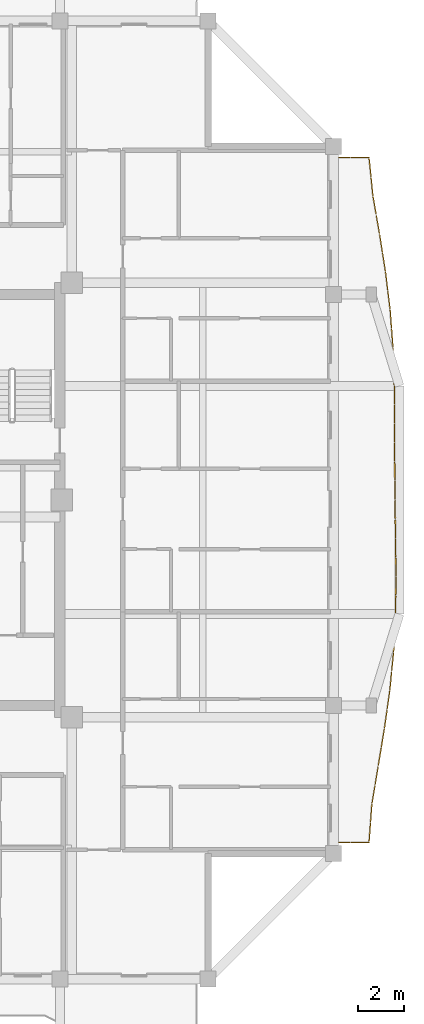
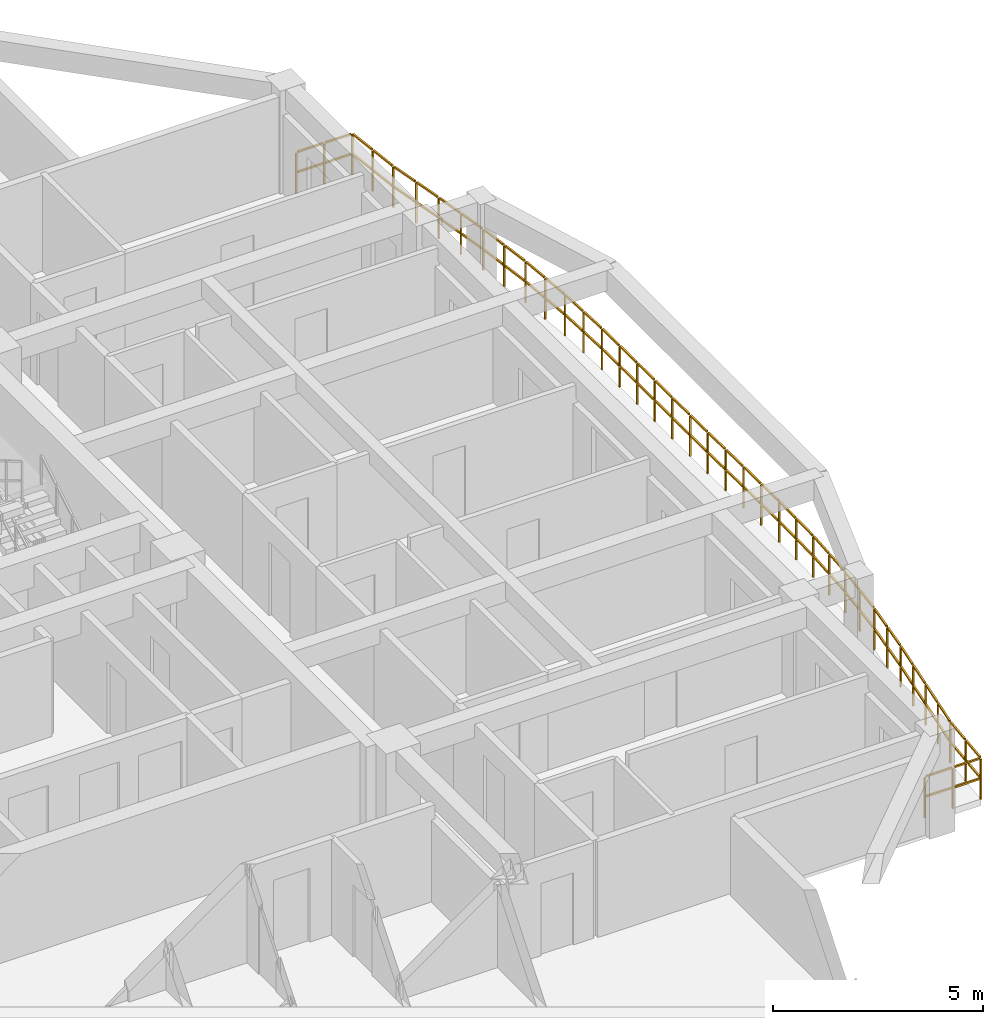
# One storey, part 13 of 14: 1 railing.
"""IFC4 building model written with IfcOpenShell, lengths in metres."""

import ifcopenshell
import ifcopenshell.guid

model = None  # the IFC model being written
_history = None  # IfcOwnerHistory: only IFC2X3 demands one
_inside = {}  # id of a spatial element -> (the spatial element, [elements in it])
_under = {}  # id of a project, library or spatial element -> (it, [spatial elements below it])
_declared = {}  # id of a project -> (the project, [libraries it declares])
_typed = {}  # id of a type object -> (the type object, [elements of that type])
_made_of = {}  # id of a material, layer set ... -> (it, [elements and type objects made of it])


def new_model(schema):
    """Start an empty IFC model of exactly this schema.

    Asked for "IFC4X3", IfcOpenShell would pick the latest addendum, in which some entities
    have other attributes; the version numbers below select the first issue.
    IFC2X3 requires an IfcOwnerHistory on every rooted entity: one is made here for all.
    """
    global model, _history
    if schema == "IFC4X3":
        model = ifcopenshell.file(schema_version=(4, 3, 0, 0))
    else:
        model = ifcopenshell.file(schema=schema)
    _inside.clear()
    _under.clear()
    _declared.clear()
    _typed.clear()
    _made_of.clear()
    _history = None
    if model.schema == "IFC2X3":
        org = make("IfcOrganization", Name="unknown")
        user = make(
            "IfcPersonAndOrganization",
            ThePerson=make("IfcPerson", FamilyName="unknown"),
            TheOrganization=org,
        )
        app = make(
            "IfcApplication",
            ApplicationDeveloper=org,
            Version="unknown",
            ApplicationFullName="unknown",
            ApplicationIdentifier="unknown",
        )
        _history = make(
            "IfcOwnerHistory",
            OwningUser=user,
            OwningApplication=app,
            ChangeAction="ADDED",
            CreationDate=0,
        )
    return model


def make(cls, **values):
    """One entity of the class cls with the attributes given. An attribute that is None is left unset."""
    return model.create_entity(
        cls, **{name: value for name, value in values.items() if value is not None}
    )


def rooted(cls, **values):
    """An entity with a GlobalId (a new one), such as an element, a storey or a relation."""
    return make(cls, GlobalId=ifcopenshell.guid.new(), OwnerHistory=_history, **values)


def si_unit(unit_type, name, prefix=None):
    """IfcSIUnit, for example si_unit("LENGTHUNIT", "METRE", prefix="MILLI")."""
    return make("IfcSIUnit", UnitType=unit_type, Prefix=prefix, Name=name)


def assignment(units):
    """IfcUnitAssignment: the units of a project."""
    return None if units is None else make("IfcUnitAssignment", Units=units)


def point(xyz):
    """IfcCartesianPoint."""
    return None if xyz is None else make("IfcCartesianPoint", Coordinates=xyz)


def direction(xyz):
    """IfcDirection."""
    return None if xyz is None else make("IfcDirection", DirectionRatios=xyz)


def frame(location, z_axis=None, x_axis=None):
    """IfcAxis2Placement3D, a coordinate frame: its origin and axes. An axis left out is left unset."""
    return make(
        "IfcAxis2Placement3D",
        Location=point(location),
        Axis=direction(z_axis),
        RefDirection=direction(x_axis),
    )


def frame_2d(location, x_axis=None):
    """IfcAxis2Placement2D, a coordinate frame in the plane: its origin and x axis."""
    return make(
        "IfcAxis2Placement2D", Location=point(location), RefDirection=direction(x_axis)
    )


def origin():
    """The frame at (0, 0, 0) with its axes left unset."""
    return frame((0.0, 0.0, 0.0))


def origin_2d():
    """The frame at (0, 0) in the plane with its x axis left unset."""
    return frame_2d((0.0, 0.0))


def place(relative_to, where):
    """IfcLocalPlacement: puts the frame where relative to a parent placement (None: the world)."""
    return make(
        "IfcLocalPlacement", PlacementRelTo=relative_to, RelativePlacement=where
    )


def context(
    kind, dimensions, precision=None, world=None, true_north=None, identifier=None
):
    """IfcGeometricRepresentationContext, for example the 3D "Model" context."""
    return make(
        "IfcGeometricRepresentationContext",
        ContextIdentifier=identifier,
        ContextType=kind,
        CoordinateSpaceDimension=dimensions,
        Precision=precision,
        WorldCoordinateSystem=world,
        TrueNorth=true_north,
    )


def subcontext(parent, identifier, kind, view, scale=None):
    """IfcGeometricRepresentationSubContext, for example "Body" below "Model"."""
    return make(
        "IfcGeometricRepresentationSubContext",
        ContextIdentifier=identifier,
        ContextType=kind,
        ParentContext=parent,
        TargetScale=scale,
        TargetView=view,
    )


def project(units=None, contexts=None):
    """IfcProject with its units and contexts."""
    return rooted(
        "IfcProject",
        Name="project",
        RepresentationContexts=contexts,
        UnitsInContext=assignment(units),
    )


def spatial(cls, under=None, at=None, **own):
    """A site, building, storey or space (cls), placed at a placement, below another one or the project."""
    s = rooted(cls, ObjectPlacement=at, **own)
    if under is not None:
        _under.setdefault(under.id(), (under, []))[1].append(s)
    return s


def profile(cls, at=None, kind="AREA", **sizes):
    """A parametric profile (cls). Its sizes go by their IFC names, for example OverallWidth=200.0."""
    return make(cls, ProfileType=kind, Position=at, **sizes)


def rectangle(**sizes):
    """IfcRectangleProfileDef."""
    return profile("IfcRectangleProfileDef", **sizes)


def extrude(swept, where, along, depth):
    """IfcExtrudedAreaSolid: the profile swept, set in the frame where, extruded along a direction by depth."""
    return make(
        "IfcExtrudedAreaSolid",
        SweptArea=swept,
        Position=where,
        ExtrudedDirection=direction(along),
        Depth=depth,
    )


def shape(context_of_items, identifier, shape_type, items):
    """IfcShapeRepresentation: the items that make up one representation, for example the "Body"."""
    return make(
        "IfcShapeRepresentation",
        ContextOfItems=context_of_items,
        RepresentationIdentifier=identifier,
        RepresentationType=shape_type,
        Items=items,
    )


def material(Name=None, Category=None):
    """IfcMaterial."""
    return make("IfcMaterial", Name=Name, Category=Category)


def made_of(thing, what):
    """Note that an element or type object is made of a material, layer set ...; save() writes the relation."""
    if what is not None:
        _made_of.setdefault(what.id(), (what, []))[1].append(thing)
    return thing


def type_object(cls, material=None, **own):
    """A type object (cls), such as IfcWallType, which elements share."""
    return made_of(rooted(cls, **own), material)


def element(
    cls,
    number,
    at=None,
    inside=None,
    cuts=None,
    type_object=None,
    material=None,
    context=None,
    identifier="Body",
    shape_type=None,
    held_by="IfcProductDefinitionShape",
    body=None,
    shapes=None,
    **own,
):
    """One element of the class cls, such as IfcWall. Its Tag is "e" and its number.

    at: its placement. inside: the storey or other place that contains it. cuts: it is an
    opening in that element (IfcRelVoidsElement). A single representation is given by context,
    identifier, shape_type and body (its items); several are given by shapes. held_by: the class
    of the entity that holds the representations. save() writes the other relations.
    """
    e = rooted(cls, Tag="e%d" % number, ObjectPlacement=at, **own)
    if body is not None:
        shapes = [shape(context, identifier, shape_type, body)]
    if shapes is not None:
        e.Representation = make(held_by, Representations=shapes)
    if inside is not None:
        _inside.setdefault(inside.id(), (inside, []))[1].append(e)
    if cuts is not None:
        rooted(
            "IfcRelVoidsElement", RelatingBuildingElement=cuts, RelatedOpeningElement=e
        )
    if type_object is not None:
        _typed.setdefault(type_object.id(), (type_object, []))[1].append(e)
    return made_of(e, material)


def aggregate(whole, parts):
    """IfcRelAggregates: a whole, such as a stair, and the parts it consists of."""
    return rooted("IfcRelAggregates", RelatingObject=whole, RelatedObjects=parts)


def save(model, path):
    """Write the relations noted so far, then the file.

    IfcRelAggregates (storeys below a building ...), IfcRelContainedInSpatialStructure (elements
    in a storey), IfcRelDefinesByType, IfcRelAssociatesMaterial and IfcRelDeclares: one each for
    every whole, place, type object, material and project.
    """
    for whole, parts in _under.values():
        aggregate(whole, parts)
    for where, things in _inside.values():
        rooted(
            "IfcRelContainedInSpatialStructure",
            RelatedElements=things,
            RelatingStructure=where,
        )
    for kind, things in _typed.values():
        rooted("IfcRelDefinesByType", RelatedObjects=things, RelatingType=kind)
    for what, things in _made_of.values():
        rooted("IfcRelAssociatesMaterial", RelatedObjects=things, RelatingMaterial=what)
    for by, libraries in _declared.values():
        rooted("IfcRelDeclares", RelatingContext=by, RelatedDefinitions=libraries)
    model.write(path)


model = new_model("IFC4")

# Units and contexts
model_context = context("Model", 3, precision=1e-05, world=origin(), true_north=direction((0.0, 1.0)))
body_context = subcontext(model_context, "Body", "Model", "MODEL_VIEW")
ifc_project = project(units=[si_unit("LENGTHUNIT", "METRE"), si_unit("AREAUNIT", "SQUARE_METRE"), si_unit("VOLUMEUNIT", "CUBIC_METRE"), si_unit("PLANEANGLEUNIT", "RADIAN"), si_unit("MASSUNIT", "GRAM", prefix="KILO")], contexts=[model_context])

# Site, building, storey
site_placement = place(None, origin())
site = spatial("IfcSite", under=ifc_project, at=site_placement, CompositionType="ELEMENT")
building_placement = place(site_placement, origin())
building = spatial("IfcBuilding", under=site, at=building_placement, Name="Saelheon Loggia Tower", CompositionType="ELEMENT")
storey_placement = place(building_placement, frame((0.0, 0.0, 213.300048828125)))
storey = spatial("IfcBuildingStorey", under=building, at=storey_placement, Name="L66", CompositionType="ELEMENT", Elevation=213.300048828125)

# Railing
ifc_material = material(Name="Architectural Precast Concrete and Laminated Glass Guard", Category="concrete")
railing_type = type_object("IfcRailingType", Name="Guard_Loggia_RL_LOG", PredefinedType="BALUSTRADE", material=ifc_material)
railing_placement = place(storey_placement, frame((56.5, 12.0, 0.0)))
element("IfcRailing", 1, at=railing_placement, inside=storey, type_object=railing_type, Name="L66 East Loggia Balustrade", PredefinedType="BALUSTRADE", context=body_context, shape_type="SweptSolid", body=[
    extrude(rectangle(XDim=0.048095703125, YDim=0.048095703125, at=origin_2d()), frame((0.033203125, 0.0, 1.19580078125), z_axis=(1.0, 0.0, 0.0), x_axis=(0.0, 1.0, 0.0)), (0.0, 0.0, 1.0), 0.70849609375),
    extrude(rectangle(XDim=0.048095703125, YDim=0.048095703125, at=origin_2d()), frame((0.033203125, 0.0, 0.60986328125), z_axis=(1.0, 0.0, 0.0), x_axis=(0.0, 1.0, 0.0)), (0.0, 0.0, 1.0), 0.70849609375),
    extrude(rectangle(XDim=0.048095703125, YDim=0.048095703125, at=origin_2d()), frame((0.808349609375, 0.0, 1.19580078125), z_axis=(1.0, 0.0, 0.0), x_axis=(0.0, 1.0, 0.0)), (0.0, 0.0, 1.0), 0.70849609375),
    extrude(rectangle(XDim=0.048095703125, YDim=0.048095703125, at=origin_2d()), frame((0.808349609375, 0.0, 0.60986328125), z_axis=(1.0, 0.0, 0.0), x_axis=(0.0, 1.0, 0.0)), (0.0, 0.0, 1.0), 0.70849609375),
    extrude(rectangle(XDim=0.048095703125, YDim=0.048095703125, at=origin_2d()), frame((1.552490234375, 0.033203125, 1.19580078125), z_axis=(0.073624164853, 0.997286058435, 0.0), x_axis=(-0.997286058435, 0.073624164853, 0.0)), (0.0, 0.0, 1.0), 0.769287109375),
    extrude(rectangle(XDim=0.048095703125, YDim=0.048095703125, at=origin_2d()), frame((1.552490234375, 0.033203125, 0.60986328125), z_axis=(0.073624164853, 0.997286058435, 0.0), x_axis=(-0.997286058435, 0.073624164853, 0.0)), (0.0, 0.0, 1.0), 0.769287109375),
    extrude(rectangle(XDim=0.048095703125, YDim=0.048095703125, at=origin_2d()), frame((1.614013671875, 0.866455078125, 1.19580078125), z_axis=(0.073624164853, 0.997286058435, 0.0), x_axis=(-0.997286058435, 0.073624164853, 0.0)), (0.0, 0.0, 1.0), 0.769287109375),
    extrude(rectangle(XDim=0.048095703125, YDim=0.048095703125, at=origin_2d()), frame((1.614013671875, 0.866455078125, 0.60986328125), z_axis=(0.073624164853, 0.997286058435, 0.0), x_axis=(-0.997286058435, 0.073624164853, 0.0)), (0.0, 0.0, 1.0), 0.769287109375),
    extrude(rectangle(XDim=0.048095703125, YDim=0.048095703125, at=origin_2d()), frame((1.678466796875, 1.699462890625, 1.19580078125), z_axis=(0.164164640298, 0.986432953057, 0.0), x_axis=(-0.986432953057, 0.164164640298, 0.0)), (0.0, 0.0, 1.0), 0.7783203125),
    extrude(rectangle(XDim=0.048095703125, YDim=0.048095703125, at=origin_2d()), frame((1.678466796875, 1.699462890625, 0.60986328125), z_axis=(0.164164640298, 0.986432953057, 0.0), x_axis=(-0.986432953057, 0.164164640298, 0.0)), (0.0, 0.0, 1.0), 0.7783203125),
    extrude(rectangle(XDim=0.048095703125, YDim=0.048095703125, at=origin_2d()), frame((1.817138671875, 2.53271484375, 1.19580078125), z_axis=(0.164164640298, 0.986432953057, 0.0), x_axis=(-0.986432953057, 0.164164640298, 0.0)), (0.0, 0.0, 1.0), 0.7783203125),
    extrude(rectangle(XDim=0.048095703125, YDim=0.048095703125, at=origin_2d()), frame((1.817138671875, 2.53271484375, 0.60986328125), z_axis=(0.164164640298, 0.986432953057, 0.0), x_axis=(-0.986432953057, 0.164164640298, 0.0)), (0.0, 0.0, 1.0), 0.7783203125),
    extrude(rectangle(XDim=0.048095703125, YDim=0.048095703125, at=origin_2d()), frame((1.955810546875, 3.365966796875, 1.19580078125), z_axis=(0.163297476344, 0.986576876994, 0.0), x_axis=(-0.986576876994, 0.163297476344, 0.0)), (0.0, 0.0, 1.0), 0.7783203125),
    extrude(rectangle(XDim=0.048095703125, YDim=0.048095703125, at=origin_2d()), frame((1.955810546875, 3.365966796875, 0.60986328125), z_axis=(0.163297476344, 0.986576876994, 0.0), x_axis=(-0.986576876994, 0.163297476344, 0.0)), (0.0, 0.0, 1.0), 0.7783203125),
    extrude(rectangle(XDim=0.048095703125, YDim=0.048095703125, at=origin_2d()), frame((2.09375, 4.199462890625, 1.19580078125), z_axis=(0.163297476344, 0.986576876994, 0.0), x_axis=(-0.986576876994, 0.163297476344, 0.0)), (0.0, 0.0, 1.0), 0.7783203125),
    extrude(rectangle(XDim=0.048095703125, YDim=0.048095703125, at=origin_2d()), frame((2.09375, 4.199462890625, 0.60986328125), z_axis=(0.163297476344, 0.986576876994, 0.0), x_axis=(-0.986576876994, 0.163297476344, 0.0)), (0.0, 0.0, 1.0), 0.7783203125),
    extrude(rectangle(XDim=0.048095703125, YDim=0.048095703125, at=origin_2d()), frame((2.23095703125, 5.032958984375, 1.19580078125), z_axis=(0.139532622052, 0.990217474792, 0.0), x_axis=(-0.990217474792, 0.139532622052, 0.0)), (0.0, 0.0, 1.0), 0.775146484375),
    extrude(rectangle(XDim=0.048095703125, YDim=0.048095703125, at=origin_2d()), frame((2.23095703125, 5.032958984375, 0.60986328125), z_axis=(0.139532622052, 0.990217474792, 0.0), x_axis=(-0.990217474792, 0.139532622052, 0.0)), (0.0, 0.0, 1.0), 0.775146484375),
    extrude(rectangle(XDim=0.048095703125, YDim=0.048095703125, at=origin_2d()), frame((2.348388671875, 5.8662109375, 1.19580078125), z_axis=(0.139532622052, 0.990217474792, 0.0), x_axis=(-0.990217474792, 0.139532622052, 0.0)), (0.0, 0.0, 1.0), 0.775146484375),
    extrude(rectangle(XDim=0.048095703125, YDim=0.048095703125, at=origin_2d()), frame((2.348388671875, 5.8662109375, 0.60986328125), z_axis=(0.139532622052, 0.990217474792, 0.0), x_axis=(-0.990217474792, 0.139532622052, 0.0)), (0.0, 0.0, 1.0), 0.775146484375),
    extrude(rectangle(XDim=0.048095703125, YDim=0.048095703125, at=origin_2d()), frame((2.46435546875, 6.69970703125, 1.19580078125), z_axis=(0.097684686156, 0.995217414483, 0.0), x_axis=(-0.995217414483, 0.097684686156, 0.0)), (0.0, 0.0, 1.0), 0.770751953125),
    extrude(rectangle(XDim=0.048095703125, YDim=0.048095703125, at=origin_2d()), frame((2.46435546875, 6.69970703125, 0.60986328125), z_axis=(0.097684686156, 0.995217414483, 0.0), x_axis=(-0.995217414483, 0.097684686156, 0.0)), (0.0, 0.0, 1.0), 0.770751953125),
    extrude(rectangle(XDim=0.048095703125, YDim=0.048095703125, at=origin_2d()), frame((2.546142578125, 7.532958984375, 1.19580078125), z_axis=(0.097684686156, 0.995217414483, 0.0), x_axis=(-0.995217414483, 0.097684686156, 0.0)), (0.0, 0.0, 1.0), 0.770751953125),
    extrude(rectangle(XDim=0.048095703125, YDim=0.048095703125, at=origin_2d()), frame((2.546142578125, 7.532958984375, 0.60986328125), z_axis=(0.097684686156, 0.995217414483, 0.0), x_axis=(-0.995217414483, 0.097684686156, 0.0)), (0.0, 0.0, 1.0), 0.770751953125),
    extrude(rectangle(XDim=0.048095703125, YDim=0.048095703125, at=origin_2d()), frame((2.62646484375, 8.366455078125, 1.19580078125), z_axis=(0.050178396497, 0.998740270804, 0.0), x_axis=(-0.998740270804, 0.050178396497, 0.0)), (0.0, 0.0, 1.0), 0.76806640625),
    extrude(rectangle(XDim=0.048095703125, YDim=0.048095703125, at=origin_2d()), frame((2.62646484375, 8.366455078125, 0.60986328125), z_axis=(0.050178396497, 0.998740270804, 0.0), x_axis=(-0.998740270804, 0.050178396497, 0.0)), (0.0, 0.0, 1.0), 0.76806640625),
    extrude(rectangle(XDim=0.048095703125, YDim=0.048095703125, at=origin_2d()), frame((2.668212890625, 9.19970703125, 1.19580078125), z_axis=(0.050178396497, 0.998740270804, 0.0), x_axis=(-0.998740270804, 0.050178396497, 0.0)), (0.0, 0.0, 1.0), 0.76806640625),
    extrude(rectangle(XDim=0.048095703125, YDim=0.048095703125, at=origin_2d()), frame((2.668212890625, 9.19970703125, 0.60986328125), z_axis=(0.050178396497, 0.998740270804, 0.0), x_axis=(-0.998740270804, 0.050178396497, 0.0)), (0.0, 0.0, 1.0), 0.76806640625),
    extrude(rectangle(XDim=0.048095703125, YDim=0.048095703125, at=origin_2d()), frame((2.708740234375, 10.033203125, 1.19580078125), z_axis=(0.010692226024, 0.999942836517, 0.0), x_axis=(-0.999942836517, 0.010692226024, 0.0)), (0.0, 0.0, 1.0), 0.766845703125),
    extrude(rectangle(XDim=0.048095703125, YDim=0.048095703125, at=origin_2d()), frame((2.708740234375, 10.033203125, 0.60986328125), z_axis=(0.010692226024, 0.999942836517, 0.0), x_axis=(-0.999942836517, 0.010692226024, 0.0)), (0.0, 0.0, 1.0), 0.766845703125),
    extrude(rectangle(XDim=0.048095703125, YDim=0.048095703125, at=origin_2d()), frame((2.7177734375, 10.86669921875, 1.19580078125), z_axis=(0.010692226024, 0.999942836517, 0.0), x_axis=(-0.999942836517, 0.010692226024, 0.0)), (0.0, 0.0, 1.0), 0.766845703125),
    extrude(rectangle(XDim=0.048095703125, YDim=0.048095703125, at=origin_2d()), frame((2.7177734375, 10.86669921875, 0.60986328125), z_axis=(0.010692226024, 0.999942836517, 0.0), x_axis=(-0.999942836517, 0.010692226024, 0.0)), (0.0, 0.0, 1.0), 0.766845703125),
    extrude(rectangle(XDim=0.048095703125, YDim=0.048095703125, at=origin_2d()), frame((2.725830078125, 11.699951171875, 1.19580078125), z_axis=(-0.011279680844, 0.999936382376, 0.0), x_axis=(-0.999936382376, -0.011279680844, 0.0)), (0.0, 0.0, 1.0), 0.766845703125),
    extrude(rectangle(XDim=0.048095703125, YDim=0.048095703125, at=origin_2d()), frame((2.725830078125, 11.699951171875, 0.60986328125), z_axis=(-0.011279680844, 0.999936382376, 0.0), x_axis=(-0.999936382376, -0.011279680844, 0.0)), (0.0, 0.0, 1.0), 0.766845703125),
    extrude(rectangle(XDim=0.048095703125, YDim=0.048095703125, at=origin_2d()), frame((2.716552734375, 12.533203125, 1.19580078125), z_axis=(-0.011279680844, 0.999936382376, 0.0), x_axis=(-0.999936382376, -0.011279680844, 0.0)), (0.0, 0.0, 1.0), 0.766845703125),
    extrude(rectangle(XDim=0.048095703125, YDim=0.048095703125, at=origin_2d()), frame((2.716552734375, 12.533203125, 0.60986328125), z_axis=(-0.011279680844, 0.999936382376, 0.0), x_axis=(-0.999936382376, -0.011279680844, 0.0)), (0.0, 0.0, 1.0), 0.766845703125),
    extrude(rectangle(XDim=0.048095703125, YDim=0.048095703125, at=origin_2d()), frame((2.70703125, 13.366455078125, 1.19580078125), z_axis=(-0.014353289095, 0.99989698624, 0.0), x_axis=(-0.99989698624, -0.014353289095, 0.0)), (0.0, 0.0, 1.0), 0.76708984375),
    extrude(rectangle(XDim=0.048095703125, YDim=0.048095703125, at=origin_2d()), frame((2.70703125, 13.366455078125, 0.60986328125), z_axis=(-0.014353289095, 0.99989698624, 0.0), x_axis=(-0.99989698624, -0.014353289095, 0.0)), (0.0, 0.0, 1.0), 0.76708984375),
    extrude(rectangle(XDim=0.048095703125, YDim=0.048095703125, at=origin_2d()), frame((2.695068359375, 14.199951171875, 1.19580078125), z_axis=(-0.014353289095, 0.99989698624, 0.0), x_axis=(-0.99989698624, -0.014353289095, 0.0)), (0.0, 0.0, 1.0), 0.76708984375),
    extrude(rectangle(XDim=0.048095703125, YDim=0.048095703125, at=origin_2d()), frame((2.695068359375, 14.199951171875, 0.60986328125), z_axis=(-0.014353289095, 0.99989698624, 0.0), x_axis=(-0.99989698624, -0.014353289095, 0.0)), (0.0, 0.0, 1.0), 0.76708984375),
    extrude(rectangle(XDim=0.048095703125, YDim=0.048095703125, at=origin_2d()), frame((2.683349609375, 15.033203125, 1.19580078125), z_axis=(-0.007030732919, 0.999975284092, 0.0), x_axis=(-0.999975284092, -0.007030732919, 0.0)), (0.0, 0.0, 1.0), 0.766845703125),
    extrude(rectangle(XDim=0.048095703125, YDim=0.048095703125, at=origin_2d()), frame((2.683349609375, 15.033203125, 0.60986328125), z_axis=(-0.007030732919, 0.999975284092, 0.0), x_axis=(-0.999975284092, -0.007030732919, 0.0)), (0.0, 0.0, 1.0), 0.766845703125),
    extrude(rectangle(XDim=0.048095703125, YDim=0.048095703125, at=origin_2d()), frame((2.677490234375, 15.86669921875, 1.19580078125), z_axis=(-0.007030732919, 0.999975284092, 0.0), x_axis=(-0.999975284092, -0.007030732919, 0.0)), (0.0, 0.0, 1.0), 0.766845703125),
    extrude(rectangle(XDim=0.048095703125, YDim=0.048095703125, at=origin_2d()), frame((2.677490234375, 15.86669921875, 0.60986328125), z_axis=(-0.007030732919, 0.999975284092, 0.0), x_axis=(-0.999975284092, -0.007030732919, 0.0)), (0.0, 0.0, 1.0), 0.766845703125),
    extrude(rectangle(XDim=0.048095703125, YDim=0.048095703125, at=origin_2d()), frame((2.671875, 16.699951171875, 1.19580078125), z_axis=(-0.00087899175, 0.999999613687, 0.0), x_axis=(-0.999999613687, -0.00087899175, 0.0)), (0.0, 0.0, 1.0), 0.766845703125),
    extrude(rectangle(XDim=0.048095703125, YDim=0.048095703125, at=origin_2d()), frame((2.671875, 16.699951171875, 0.60986328125), z_axis=(-0.00087899175, 0.999999613687, 0.0), x_axis=(-0.999999613687, -0.00087899175, 0.0)), (0.0, 0.0, 1.0), 0.766845703125),
    extrude(rectangle(XDim=0.048095703125, YDim=0.048095703125, at=origin_2d()), frame((2.671142578125, 17.533203125, 1.19580078125), z_axis=(-0.00087899175, 0.999999613687, 0.0), x_axis=(-0.999999613687, -0.00087899175, 0.0)), (0.0, 0.0, 1.0), 0.766845703125),
    extrude(rectangle(XDim=0.048095703125, YDim=0.048095703125, at=origin_2d()), frame((2.671142578125, 17.533203125, 0.60986328125), z_axis=(-0.00087899175, 0.999999613687, 0.0), x_axis=(-0.999999613687, -0.00087899175, 0.0)), (0.0, 0.0, 1.0), 0.766845703125),
    extrude(rectangle(XDim=0.048095703125, YDim=0.048095703125, at=origin_2d()), frame((2.670166015625, 18.366455078125, 1.19580078125), z_axis=(-0.008348910706, 0.999965147238, 0.0), x_axis=(-0.999965147238, -0.008348910706, 0.0)), (0.0, 0.0, 1.0), 0.766845703125),
    extrude(rectangle(XDim=0.048095703125, YDim=0.048095703125, at=origin_2d()), frame((2.670166015625, 18.366455078125, 0.60986328125), z_axis=(-0.008348910706, 0.999965147238, 0.0), x_axis=(-0.999965147238, -0.008348910706, 0.0)), (0.0, 0.0, 1.0), 0.766845703125),
    extrude(rectangle(XDim=0.048095703125, YDim=0.048095703125, at=origin_2d()), frame((2.6630859375, 19.199951171875, 1.19580078125), z_axis=(-0.008348910706, 0.999965147238, 0.0), x_axis=(-0.999965147238, -0.008348910706, 0.0)), (0.0, 0.0, 1.0), 0.766845703125),
    extrude(rectangle(XDim=0.048095703125, YDim=0.048095703125, at=origin_2d()), frame((2.6630859375, 19.199951171875, 0.60986328125), z_axis=(-0.008348910706, 0.999965147238, 0.0), x_axis=(-0.999965147238, -0.008348910706, 0.0)), (0.0, 0.0, 1.0), 0.766845703125),
    extrude(rectangle(XDim=0.048095703125, YDim=0.048095703125, at=origin_2d()), frame((2.6552734375, 20.033203125, 1.19580078125), z_axis=(-0.034109333385, 0.999418107388, 0.0), x_axis=(-0.999418107388, -0.034109333385, 0.0)), (0.0, 0.0, 1.0), 0.767333984375),
    extrude(rectangle(XDim=0.048095703125, YDim=0.048095703125, at=origin_2d()), frame((2.6552734375, 20.033203125, 0.60986328125), z_axis=(-0.034109333385, 0.999418107388, 0.0), x_axis=(-0.999418107388, -0.034109333385, 0.0)), (0.0, 0.0, 1.0), 0.767333984375),
    extrude(rectangle(XDim=0.048095703125, YDim=0.048095703125, at=origin_2d()), frame((2.626953125, 20.86669921875, 1.19580078125), z_axis=(-0.034109333385, 0.999418107388, 0.0), x_axis=(-0.999418107388, -0.034109333385, 0.0)), (0.0, 0.0, 1.0), 0.767333984375),
    extrude(rectangle(XDim=0.048095703125, YDim=0.048095703125, at=origin_2d()), frame((2.626953125, 20.86669921875, 0.60986328125), z_axis=(-0.034109333385, 0.999418107388, 0.0), x_axis=(-0.999418107388, -0.034109333385, 0.0)), (0.0, 0.0, 1.0), 0.767333984375),
    extrude(rectangle(XDim=0.048095703125, YDim=0.048095703125, at=origin_2d()), frame((2.59716796875, 21.699951171875, 1.19580078125), z_axis=(-0.075523507059, 0.997144021635, 0.0), x_axis=(-0.997144021635, -0.075523507059, 0.0)), (0.0, 0.0, 1.0), 0.769287109375),
    extrude(rectangle(XDim=0.048095703125, YDim=0.048095703125, at=origin_2d()), frame((2.59716796875, 21.699951171875, 0.60986328125), z_axis=(-0.075523507059, 0.997144021635, 0.0), x_axis=(-0.997144021635, -0.075523507059, 0.0)), (0.0, 0.0, 1.0), 0.769287109375),
    extrude(rectangle(XDim=0.048095703125, YDim=0.048095703125, at=origin_2d()), frame((2.533935546875, 22.533203125, 1.19580078125), z_axis=(-0.075523507059, 0.997144021635, 0.0), x_axis=(-0.997144021635, -0.075523507059, 0.0)), (0.0, 0.0, 1.0), 0.769287109375),
    extrude(rectangle(XDim=0.048095703125, YDim=0.048095703125, at=origin_2d()), frame((2.533935546875, 22.533203125, 0.60986328125), z_axis=(-0.075523507059, 0.997144021635, 0.0), x_axis=(-0.997144021635, -0.075523507059, 0.0)), (0.0, 0.0, 1.0), 0.769287109375),
    extrude(rectangle(XDim=0.048095703125, YDim=0.048095703125, at=origin_2d()), frame((2.469482421875, 23.3662109375, 1.19580078125), z_axis=(-0.12054414894, 0.992707967207, 0.0), x_axis=(-0.992707967207, -0.12054414894, 0.0)), (0.0, 0.0, 1.0), 0.77294921875),
    extrude(rectangle(XDim=0.048095703125, YDim=0.048095703125, at=origin_2d()), frame((2.469482421875, 23.3662109375, 0.60986328125), z_axis=(-0.12054414894, 0.992707967207, 0.0), x_axis=(-0.992707967207, -0.12054414894, 0.0)), (0.0, 0.0, 1.0), 0.77294921875),
    extrude(rectangle(XDim=0.048095703125, YDim=0.048095703125, at=origin_2d()), frame((2.3681640625, 24.19970703125, 1.19580078125), z_axis=(-0.12054414894, 0.992707967207, 0.0), x_axis=(-0.992707967207, -0.12054414894, 0.0)), (0.0, 0.0, 1.0), 0.77294921875),
    extrude(rectangle(XDim=0.048095703125, YDim=0.048095703125, at=origin_2d()), frame((2.3681640625, 24.19970703125, 0.60986328125), z_axis=(-0.12054414894, 0.992707967207, 0.0), x_axis=(-0.992707967207, -0.12054414894, 0.0)), (0.0, 0.0, 1.0), 0.77294921875),
    extrude(rectangle(XDim=0.048095703125, YDim=0.048095703125, at=origin_2d()), frame((2.265869140625, 25.03271484375, 1.19580078125), z_axis=(-0.155970003219, 0.987761792183, 0.0), x_axis=(-0.987761792183, -0.155970003219, 0.0)), (0.0, 0.0, 1.0), 0.77734375),
    extrude(rectangle(XDim=0.048095703125, YDim=0.048095703125, at=origin_2d()), frame((2.265869140625, 25.03271484375, 0.60986328125), z_axis=(-0.155970003219, 0.987761792183, 0.0), x_axis=(-0.987761792183, -0.155970003219, 0.0)), (0.0, 0.0, 1.0), 0.77734375),
    extrude(rectangle(XDim=0.048095703125, YDim=0.048095703125, at=origin_2d()), frame((2.13427734375, 25.8662109375, 1.19580078125), z_axis=(-0.155970003219, 0.987761792183, 0.0), x_axis=(-0.987761792183, -0.155970003219, 0.0)), (0.0, 0.0, 1.0), 0.77734375),
    extrude(rectangle(XDim=0.048095703125, YDim=0.048095703125, at=origin_2d()), frame((2.13427734375, 25.8662109375, 0.60986328125), z_axis=(-0.155970003219, 0.987761792183, 0.0), x_axis=(-0.987761792183, -0.155970003219, 0.0)), (0.0, 0.0, 1.0), 0.77734375),
    extrude(rectangle(XDim=0.048095703125, YDim=0.048095703125, at=origin_2d()), frame((2.002197265625, 26.699462890625, 1.19580078125), z_axis=(-0.171042688029, 0.985263618973, 0.0), x_axis=(-0.985263618973, -0.171042688029, 0.0)), (0.0, 0.0, 1.0), 0.779296875),
    extrude(rectangle(XDim=0.048095703125, YDim=0.048095703125, at=origin_2d()), frame((2.002197265625, 26.699462890625, 0.60986328125), z_axis=(-0.171042688029, 0.985263618973, 0.0), x_axis=(-0.985263618973, -0.171042688029, 0.0)), (0.0, 0.0, 1.0), 0.779296875),
    extrude(rectangle(XDim=0.048095703125, YDim=0.048095703125, at=origin_2d()), frame((1.857421875, 27.53271484375, 1.19580078125), z_axis=(-0.171042688029, 0.985263618973, 0.0), x_axis=(-0.985263618973, -0.171042688029, 0.0)), (0.0, 0.0, 1.0), 0.779296875),
    extrude(rectangle(XDim=0.048095703125, YDim=0.048095703125, at=origin_2d()), frame((1.857421875, 27.53271484375, 0.60986328125), z_axis=(-0.171042688029, 0.985263618973, 0.0), x_axis=(-0.985263618973, -0.171042688029, 0.0)), (0.0, 0.0, 1.0), 0.779296875),
    extrude(rectangle(XDim=0.048095703125, YDim=0.048095703125, at=origin_2d()), frame((1.715087890625, 28.3662109375, 1.19580078125), z_axis=(-0.100556993811, 0.994931299636, 0.0), x_axis=(-0.994931299636, -0.100556993811, 0.0)), (0.0, 0.0, 1.0), 0.771240234375),
    extrude(rectangle(XDim=0.048095703125, YDim=0.048095703125, at=origin_2d()), frame((1.715087890625, 28.3662109375, 0.60986328125), z_axis=(-0.100556993811, 0.994931299636, 0.0), x_axis=(-0.994931299636, -0.100556993811, 0.0)), (0.0, 0.0, 1.0), 0.771240234375),
    extrude(rectangle(XDim=0.048095703125, YDim=0.048095703125, at=origin_2d()), frame((1.630859375, 29.19970703125, 1.19580078125), z_axis=(-0.100556993811, 0.994931299636, 0.0), x_axis=(-0.994931299636, -0.100556993811, 0.0)), (0.0, 0.0, 1.0), 0.771240234375),
    extrude(rectangle(XDim=0.048095703125, YDim=0.048095703125, at=origin_2d()), frame((1.630859375, 29.19970703125, 0.60986328125), z_axis=(-0.100556993811, 0.994931299636, 0.0), x_axis=(-0.994931299636, -0.100556993811, 0.0)), (0.0, 0.0, 1.0), 0.771240234375),
    extrude(rectangle(XDim=0.048095703125, YDim=0.048095703125, at=origin_2d()), frame((1.516845703125, 30.0, 1.19580078125), z_axis=(-1.0, 0.0, 0.0), x_axis=(0.0, -1.0, 0.0)), (0.0, 0.0, 1.0), 0.70849609375),
    extrude(rectangle(XDim=0.048095703125, YDim=0.048095703125, at=origin_2d()), frame((1.516845703125, 30.0, 0.60986328125), z_axis=(-1.0, 0.0, 0.0), x_axis=(0.0, -1.0, 0.0)), (0.0, 0.0, 1.0), 0.70849609375),
    extrude(rectangle(XDim=0.048095703125, YDim=0.048095703125, at=origin_2d()), frame((0.74169921875, 30.0, 1.19580078125), z_axis=(-1.0, 0.0, 0.0), x_axis=(0.0, -1.0, 0.0)), (0.0, 0.0, 1.0), 0.70849609375),
    extrude(rectangle(XDim=0.048095703125, YDim=0.048095703125, at=origin_2d()), frame((0.74169921875, 30.0, 0.60986328125), z_axis=(-1.0, 0.0, 0.0), x_axis=(0.0, -1.0, 0.0)), (0.0, 0.0, 1.0), 0.70849609375),
    extrude(rectangle(XDim=0.0419921875, YDim=0.0419921875, at=origin_2d()), origin(), (0.0, 0.0, 1.0), 1.16796875),
    extrude(rectangle(XDim=0.0419921875, YDim=0.0419921875, at=origin_2d()), frame((0.77490234375, 0.0, 0.0)), (0.0, 0.0, 1.0), 1.16796875),
    extrude(rectangle(XDim=0.0419921875, YDim=0.0419921875, at=origin_2d()), frame((1.550048828125, 0.0, 0.0)), (0.0, 0.0, 1.0), 1.16796875),
    extrude(rectangle(XDim=0.0419921875, YDim=0.0419921875, at=origin_2d()), frame((1.611572265625, 0.83349609375, 0.0)), (0.0, 0.0, 1.0), 1.16796875),
    extrude(rectangle(XDim=0.0419921875, YDim=0.0419921875, at=origin_2d()), frame((1.673095703125, 1.666748046875, 0.0)), (0.0, 0.0, 1.0), 1.16796875),
    extrude(rectangle(XDim=0.0419921875, YDim=0.0419921875, at=origin_2d()), frame((1.811767578125, 2.5, 0.0)), (0.0, 0.0, 1.0), 1.16796875),
    extrude(rectangle(XDim=0.0419921875, YDim=0.0419921875, at=origin_2d()), frame((1.950439453125, 3.333251953125, 0.0)), (0.0, 0.0, 1.0), 1.16796875),
    extrude(rectangle(XDim=0.0419921875, YDim=0.0419921875, at=origin_2d()), frame((2.08837890625, 4.16650390625, 0.0)), (0.0, 0.0, 1.0), 1.16796875),
    extrude(rectangle(XDim=0.0419921875, YDim=0.0419921875, at=origin_2d()), frame((2.226318359375, 5.0, 0.0)), (0.0, 0.0, 1.0), 1.16796875),
    extrude(rectangle(XDim=0.0419921875, YDim=0.0419921875, at=origin_2d()), frame((2.34375, 5.83349609375, 0.0)), (0.0, 0.0, 1.0), 1.16796875),
    extrude(rectangle(XDim=0.0419921875, YDim=0.0419921875, at=origin_2d()), frame((2.461181640625, 6.666748046875, 0.0)), (0.0, 0.0, 1.0), 1.16796875),
    extrude(rectangle(XDim=0.0419921875, YDim=0.0419921875, at=origin_2d()), frame((2.54296875, 7.5, 0.0)), (0.0, 0.0, 1.0), 1.16796875),
    extrude(rectangle(XDim=0.0419921875, YDim=0.0419921875, at=origin_2d()), frame((2.624755859375, 8.333251953125, 0.0)), (0.0, 0.0, 1.0), 1.16796875),
    extrude(rectangle(XDim=0.0419921875, YDim=0.0419921875, at=origin_2d()), frame((2.66650390625, 9.16650390625, 0.0)), (0.0, 0.0, 1.0), 1.16796875),
    extrude(rectangle(XDim=0.0419921875, YDim=0.0419921875, at=origin_2d()), frame((2.70849609375, 10.0, 0.0)), (0.0, 0.0, 1.0), 1.16796875),
    extrude(rectangle(XDim=0.0419921875, YDim=0.0419921875, at=origin_2d()), frame((2.71728515625, 10.83349609375, 0.0)), (0.0, 0.0, 1.0), 1.16796875),
    extrude(rectangle(XDim=0.0419921875, YDim=0.0419921875, at=origin_2d()), frame((2.726318359375, 11.666748046875, 0.0)), (0.0, 0.0, 1.0), 1.16796875),
    extrude(rectangle(XDim=0.0419921875, YDim=0.0419921875, at=origin_2d()), frame((2.716796875, 12.5, 0.0)), (0.0, 0.0, 1.0), 1.16796875),
    extrude(rectangle(XDim=0.0419921875, YDim=0.0419921875, at=origin_2d()), frame((2.70751953125, 13.333251953125, 0.0)), (0.0, 0.0, 1.0), 1.16796875),
    extrude(rectangle(XDim=0.0419921875, YDim=0.0419921875, at=origin_2d()), frame((2.695556640625, 14.16650390625, 0.0)), (0.0, 0.0, 1.0), 1.16796875),
    extrude(rectangle(XDim=0.0419921875, YDim=0.0419921875, at=origin_2d()), frame((2.68359375, 15.0, 0.0)), (0.0, 0.0, 1.0), 1.16796875),
    extrude(rectangle(XDim=0.0419921875, YDim=0.0419921875, at=origin_2d()), frame((2.677734375, 15.83349609375, 0.0)), (0.0, 0.0, 1.0), 1.16796875),
    extrude(rectangle(XDim=0.0419921875, YDim=0.0419921875, at=origin_2d()), frame((2.671875, 16.666748046875, 0.0)), (0.0, 0.0, 1.0), 1.16796875),
    extrude(rectangle(XDim=0.0419921875, YDim=0.0419921875, at=origin_2d()), frame((2.671142578125, 17.5, 0.0)), (0.0, 0.0, 1.0), 1.16796875),
    extrude(rectangle(XDim=0.0419921875, YDim=0.0419921875, at=origin_2d()), frame((2.67041015625, 18.333251953125, 0.0)), (0.0, 0.0, 1.0), 1.16796875),
    extrude(rectangle(XDim=0.0419921875, YDim=0.0419921875, at=origin_2d()), frame((2.66357421875, 19.16650390625, 0.0)), (0.0, 0.0, 1.0), 1.16796875),
    extrude(rectangle(XDim=0.0419921875, YDim=0.0419921875, at=origin_2d()), frame((2.656494140625, 20.0, 0.0)), (0.0, 0.0, 1.0), 1.16796875),
    extrude(rectangle(XDim=0.0419921875, YDim=0.0419921875, at=origin_2d()), frame((2.6279296875, 20.83349609375, 0.0)), (0.0, 0.0, 1.0), 1.16796875),
    extrude(rectangle(XDim=0.0419921875, YDim=0.0419921875, at=origin_2d()), frame((2.599609375, 21.666748046875, 0.0)), (0.0, 0.0, 1.0), 1.16796875),
    extrude(rectangle(XDim=0.0419921875, YDim=0.0419921875, at=origin_2d()), frame((2.53662109375, 22.5, 0.0)), (0.0, 0.0, 1.0), 1.16796875),
    extrude(rectangle(XDim=0.0419921875, YDim=0.0419921875, at=origin_2d()), frame((2.473388671875, 23.333251953125, 0.0)), (0.0, 0.0, 1.0), 1.16796875),
    extrude(rectangle(XDim=0.0419921875, YDim=0.0419921875, at=origin_2d()), frame((2.3720703125, 24.16650390625, 0.0)), (0.0, 0.0, 1.0), 1.16796875),
    extrude(rectangle(XDim=0.0419921875, YDim=0.0419921875, at=origin_2d()), frame((2.27099609375, 25.0, 0.0)), (0.0, 0.0, 1.0), 1.16796875),
    extrude(rectangle(XDim=0.0419921875, YDim=0.0419921875, at=origin_2d()), frame((2.139404296875, 25.83349609375, 0.0)), (0.0, 0.0, 1.0), 1.16796875),
    extrude(rectangle(XDim=0.0419921875, YDim=0.0419921875, at=origin_2d()), frame((2.0078125, 26.666748046875, 0.0)), (0.0, 0.0, 1.0), 1.16796875),
    extrude(rectangle(XDim=0.0419921875, YDim=0.0419921875, at=origin_2d()), frame((1.86328125, 27.5, 0.0)), (0.0, 0.0, 1.0), 1.16796875),
    extrude(rectangle(XDim=0.0419921875, YDim=0.0419921875, at=origin_2d()), frame((1.718505859375, 28.333251953125, 0.0)), (0.0, 0.0, 1.0), 1.16796875),
    extrude(rectangle(XDim=0.0419921875, YDim=0.0419921875, at=origin_2d()), frame((1.63427734375, 29.16650390625, 0.0)), (0.0, 0.0, 1.0), 1.16796875),
    extrude(rectangle(XDim=0.0419921875, YDim=0.0419921875, at=origin_2d()), frame((1.550048828125, 30.0, 0.0)), (0.0, 0.0, 1.0), 1.16796875),
    extrude(rectangle(XDim=0.0419921875, YDim=0.0419921875, at=origin_2d()), frame((0.77490234375, 30.0, 0.0)), (0.0, 0.0, 1.0), 1.16796875),
    extrude(rectangle(XDim=0.0419921875, YDim=0.0419921875, at=origin_2d()), frame((0.0, 30.0, 0.0)), (0.0, 0.0, 1.0), 1.16796875),
])

save(model, "model.ifc")
